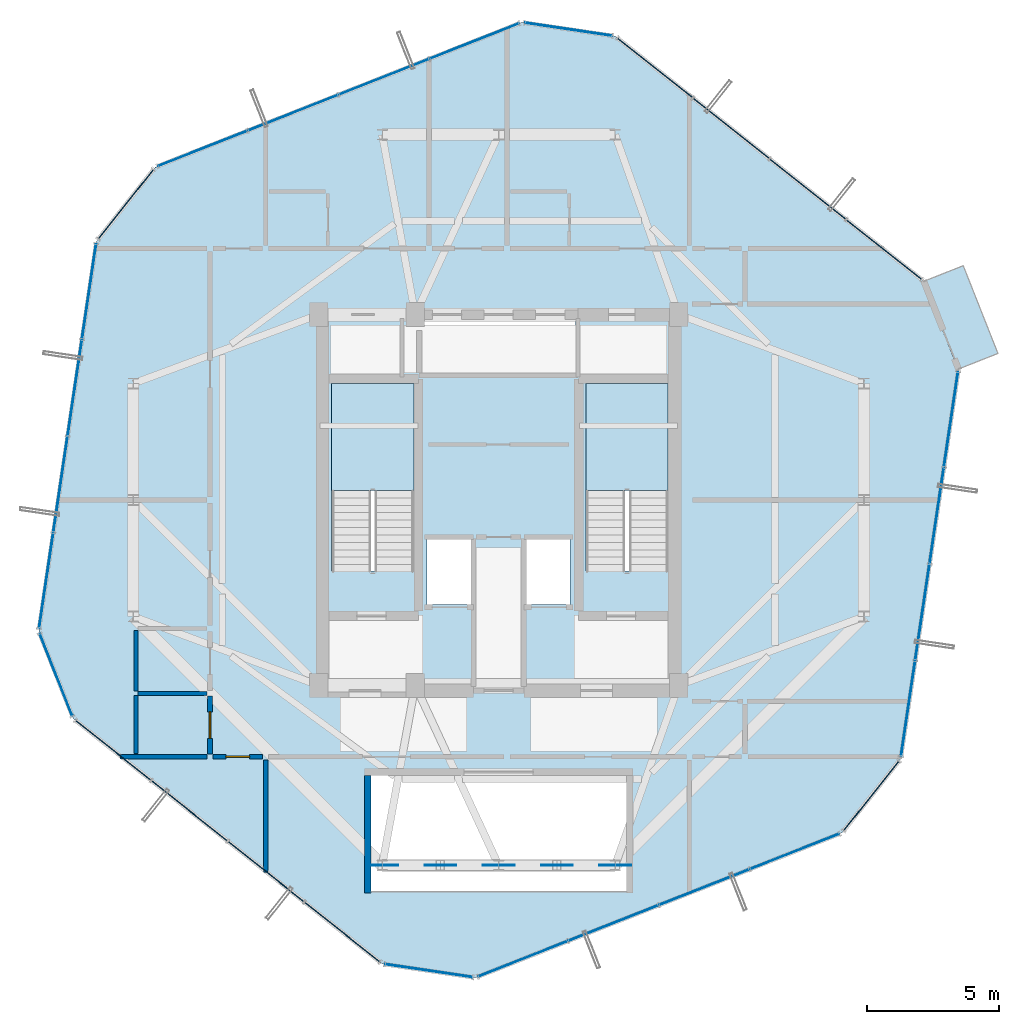
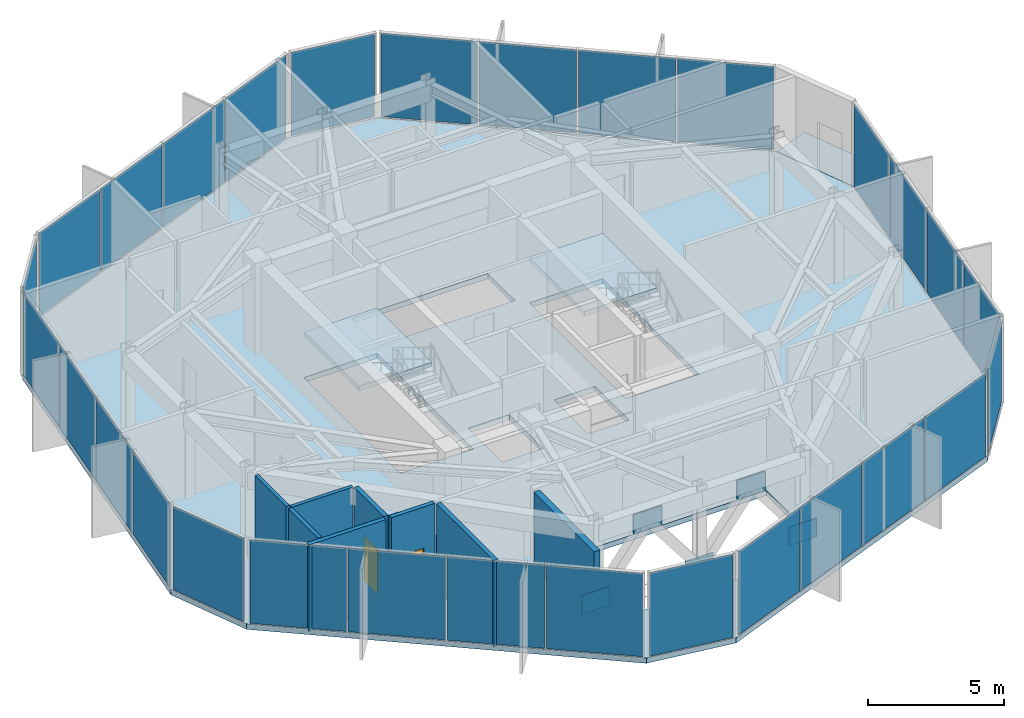
# One storey, part 17 of 22: 34 plates, 8 walls, 4 slabs, 2 doors, 2 openings, 13 elements without a shape of their own.
"""IFC4 building model written with IfcOpenShell, lengths in metres."""

from ifc_helpers import new_model, si_unit, direction, frame, frame_2d, origin, origin_2d, place, context, subcontext, project, spatial, polyline, rectangle, outline, extrude, source, transform, mapped, material, layer, layer_set, type_object, element, fill, aggregate, save


model = new_model("IFC4")

# Units and contexts
model_context = context("Model", 3, precision=1e-05, world=origin(), true_north=direction((0.0, 1.0)))
body_context = subcontext(model_context, "Body", "Model", "MODEL_VIEW")
ifc_project = project(units=[si_unit("LENGTHUNIT", "METRE"), si_unit("AREAUNIT", "SQUARE_METRE"), si_unit("VOLUMEUNIT", "CUBIC_METRE"), si_unit("PLANEANGLEUNIT", "RADIAN"), si_unit("MASSUNIT", "GRAM", prefix="KILO")], contexts=[model_context])

# Site, building, storey
site_placement = place(None, origin())
site = spatial("IfcSite", under=ifc_project, at=site_placement, CompositionType="ELEMENT")
building_placement = place(site_placement, origin())
building = spatial("IfcBuilding", under=site, at=building_placement, Name="Veraguas Prism Commons", CompositionType="ELEMENT")
storey_placement = place(building_placement, frame((0.0, 0.0, 236.550048828125)))
storey = spatial("IfcBuildingStorey", under=building, at=storey_placement, Name="L67", CompositionType="ELEMENT", Elevation=236.550048828125)

# Stair, slab
ifc_material_1 = material(Name="Precast concrete C45/55", Category="concrete")
stair_type = type_object("IfcStairType", Name="Dogleg Core Stair 1480W 24R 08", PredefinedType="HALF_TURN_STAIR", material=ifc_material_1)
stair_1_placement = place(storey_placement, origin())
stair_1 = element("IfcStair", 1, at=stair_1_placement, inside=storey, type_object=stair_type, Name="Protected Exit Stair ST-01 L67", PredefinedType="HALF_TURN_STAIR")
ifc_layer_1 = layer(ifc_material_1, 0.199951171875, Name="Precast Stair and Ramp Landing Slab 200", Category="concrete")
ifc_layer_set_1 = layer_set([ifc_layer_1], Name="Precast concrete C45/55")
slab_type_1 = type_object("IfcSlabType", Name="Precast Stair and Ramp Landing Slab 200", PredefinedType="LANDING", material=ifc_layer_set_1)
slab_1_placement = place(storey_placement, frame((0.0, 0.0, 1.849853515625)))
slab_1 = element("IfcSlab", 2, at=slab_1_placement, type_object=slab_type_1, Name="ST-08 Landing 1", PredefinedType="LANDING", context=body_context, shape_type="SweptSolid", body=[
    extrude(outline(polyline([(20.800048828125, 24.360107421875), (20.800048828125, 28.39990234375), (17.68994140625, 28.39990234375), (17.68994140625, 24.360107421875), (20.800048828125, 24.360107421875)])), origin(), (0.0, 0.0, 1.0), 0.2001953125),
])
aggregate(stair_1, [slab_1])

stair_2_placement = place(storey_placement, origin())
stair_2 = element("IfcStair", 3, at=stair_2_placement, inside=storey, type_object=stair_type, Name="Protected Exit Stair ST-02 L67", PredefinedType="HALF_TURN_STAIR")
slab_2_placement = place(storey_placement, frame((0.0, 0.0, 1.849853515625)))
slab_2 = element("IfcSlab", 4, at=slab_2_placement, type_object=slab_type_1, Name="ST-08 Landing 1", PredefinedType="LANDING", context=body_context, shape_type="SweptSolid", body=[
    extrude(outline(polyline([(30.39990234375, 24.360107421875), (30.39990234375, 28.39990234375), (27.2900390625, 28.39990234375), (27.2900390625, 24.360107421875), (30.39990234375, 24.360107421875)])), origin(), (0.0, 0.0, 1.0), 0.2001953125),
])
aggregate(stair_2, [slab_2])

# Slabs
ifc_material_2 = material(Name="Concrete C45/55", Category="concrete")
ifc_layer_2 = layer(ifc_material_2, 0.219970703125, Name="Recessed Loggia and Terrace Slab RC 220", Category="concrete")
ifc_layer_set_2 = layer_set([ifc_layer_2], Name="Concrete C45/55")
slab_type_2 = type_object("IfcSlabType", Name="Recessed Loggia and Terrace Slab RC 220", PredefinedType="FLOOR", material=ifc_layer_set_2)
slab_3_placement = place(storey_placement, frame((0.0, 0.0, -0.219970703125)))
element("IfcSlab", 5, at=slab_3_placement, inside=storey, type_object=slab_type_2, Name="Recessed Corner Loggia L67-C1", PredefinedType="FLOOR", context=body_context, shape_type="SweptSolid", body=[
    extrude(outline(polyline([(41.35009765625, 28.940185546875), (42.856689453125, 29.535400390625), (41.547607421875, 32.8486328125), (40.041015625, 32.25341796875), (41.35009765625, 28.940185546875)])), origin(), (0.0, 0.0, 1.0), 0.219970703125),
])
ifc_layer_3 = layer(ifc_material_2, 0.235107421875, Name="Tower Upper Residential Floor Slab RC 235", Category="concrete")
ifc_layer_set_3 = layer_set([ifc_layer_3], Name="Concrete C45/55")
slab_type_3 = type_object("IfcSlabType", Name="Tower Upper Residential Floor Slab RC 235", PredefinedType="FLOOR", material=ifc_layer_set_3)
slab_4_placement = place(storey_placement, frame((0.0, 0.0, -0.235107421875)))
element("IfcSlab", 6, at=slab_4_placement, inside=storey, type_object=slab_type_3, Name="Tower Floor Slab L67", PredefinedType="FLOOR", context=body_context, shape_type="SweptSolid", body=[
    extrude(outline(polyline([(41.36865234375, 28.947509765625), (40.0595703125, 32.2607421875), (28.399658203125, 41.515380859375), (24.875732421875, 42.038330078125), (11.031005859375, 36.568115234375), (8.816162109375, 33.777587890625), (6.63134765625, 19.052490234375), (7.9404296875, 15.7392578125), (19.600341796875, 6.484619140625), (23.124267578125, 5.961669921875), (36.968994140625, 11.431884765625), (39.183837890625, 14.222412109375), (41.36865234375, 28.947509765625)]), holes=[polyline([(20.800048828125, 21.31005859375), (20.800048828125, 28.39990234375), (17.68994140625, 28.39990234375), (17.68994140625, 21.31005859375), (20.800048828125, 21.31005859375)]), polyline([(30.39990234375, 21.31005859375), (30.39990234375, 28.39990234375), (27.2900390625, 28.39990234375), (27.2900390625, 21.31005859375), (30.39990234375, 21.31005859375)]), polyline([(21.10009765625, 28.800048828125), (26.89990234375, 28.800048828125), (26.89990234375, 30.800048828125), (21.10009765625, 30.800048828125), (21.10009765625, 28.800048828125)]), polyline([(21.300048828125, 20.050048828125), (23.050048828125, 20.050048828125), (23.050048828125, 22.550048828125), (21.300048828125, 22.550048828125), (21.300048828125, 20.050048828125)]), polyline([(24.949951171875, 20.050048828125), (26.699951171875, 20.050048828125), (26.699951171875, 22.550048828125), (24.949951171875, 22.550048828125), (24.949951171875, 20.050048828125)]), polyline([(19.179931640625, 9.199951171875), (28.820068359375, 9.199951171875), (28.820068359375, 13.60009765625), (19.179931640625, 13.60009765625), (19.179931640625, 9.199951171875)])]), origin(), (0.0, 0.0, 1.0), 0.235107421875),
])

# Plates
ifc_material_3 = material(Name="Steel ASTM A572 Grade 50", Category="steel")
ifc_layer_4 = layer(ifc_material_3, 0.034912109375, Name="Crown and Portal Stiffener Plate 1200x850x35", Category="steel")
ifc_layer_set_4 = layer_set([ifc_layer_4], Name="Steel ASTM A572 Grade 50")
plate_type_1 = type_object("IfcPlateType", Name="Crown and Portal Stiffener Plate 1200x850x35", PredefinedType="USERDEFINED", material=ifc_layer_set_4)
shared_shape_1 = source(origin(), body_context, "Body", "SweptSolid", [
    extrude(rectangle(XDim=1.199951171875, YDim=0.034912109375, at=origin_2d()), origin(), (0.0, 0.0, 1.0), 0.85009765625),
])
for number, where, z_axis, x_axis, name in (
    (7, (21.800048828125, 10.199951171875, 2.789794921875), (0.0, 0.0, 1.0), (1.0, 0.0, 0.0), "Wind Portal Node Stiffener KN4-L67-01"),
    (8, (26.199951171875, 10.199951171875, 2.789794921875), (0.0, 0.0, 1.0), (1.0, 0.0, 0.0), "Wind Portal Node Stiffener KN4-L67-02"),
    (9, (19.60009765625, 10.199951171875, -0.0751953125), (0.0, 0.0, 1.0), (1.0, 0.0, 0.0), "Wind Portal Column Foot Stiffener L67-01"),
    (10, (24.0, 10.199951171875, -0.0751953125), (0.0, 0.0, 1.0), (1.0, 0.0, 0.0), "Wind Portal Column Foot Stiffener L67-02"),
    (11, (28.39990234375, 10.199951171875, -0.0751953125), (0.0, 0.0, 1.0), (1.0, 0.0, 0.0), "Wind Portal Column Foot Stiffener L67-03"),
):
    element("IfcPlate", number, at=place(storey_placement, frame(where, z_axis=z_axis, x_axis=x_axis)), inside=storey, type_object=plate_type_1, Name=name, ObjectType="STIFFENER PLATE", PredefinedType="USERDEFINED", context=body_context, shape_type="MappedRepresentation", body=[
        mapped(shared_shape_1, transform((0.0, 0.0, 0.0), scale=1.0)),
    ])

# Curtain wall, plates
ifc_material_4 = material(Name="Anodised aluminium EN AW-6063 T6", Category="aluminium")
ifc_layer_5 = layer(ifc_material_4, 0.199951171875, Name="Sky Lobby and Pool Acoustic Curtain Wall", Category="aluminium")
ifc_layer_set_5 = layer_set([ifc_layer_5], Name="Anodised aluminium EN AW-6063 T6")
curtain_wall_type = type_object("IfcCurtainWallType", Name="Sky Lobby and Pool Acoustic Curtain Wall", PredefinedType="NOTDEFINED", material=ifc_layer_set_5)
curtain_wall_1_placement = place(storey_placement, origin())
curtain_wall_1 = element("IfcCurtainWall", 12, at=curtain_wall_1_placement, inside=storey, type_object=curtain_wall_type, Name="Tower Facade Curtain Wall L67-F1", PredefinedType="NOTDEFINED")
ifc_material_5 = material(Name="Laminated low-e glass", Category="glass")
ifc_layer_6 = layer(ifc_material_5, 0.031982421875, Name="Concourse Acoustic Triple Glazed Panel 32", Category="glass")
ifc_layer_set_6 = layer_set([ifc_layer_6], Name="Laminated low-e glass")
plate_type_2 = type_object("IfcPlateType", Name="Concourse Acoustic Triple Glazed Panel 32", PredefinedType="CURTAIN_PANEL", material=ifc_layer_set_6)
shared_shape_2 = source(origin(), body_context, "Body", "SweptSolid", [
    extrude(rectangle(XDim=3.593994140625, YDim=0.031982421875, at=origin_2d()), origin(), (0.0, 0.0, 1.0), 3.7451171875),
])
plate_1_placement = place(storey_placement, frame((38.55419921875, 33.45556640625, 0.059814453125), z_axis=(0.0, 0.0, 1.0), x_axis=(-0.78325853836, 0.621696117155, 0.0)))
plate_1 = element("IfcPlate", 13, at=plate_1_placement, type_object=plate_type_2, Name="CW-SKY Panel 1.1", PredefinedType="CURTAIN_PANEL", context=body_context, shape_type="MappedRepresentation", body=[
    mapped(shared_shape_2, transform((0.0, 0.0, 0.0), scale=1.0)),
])
plate_2_placement = place(storey_placement, frame((29.9052734375, 40.320556640625, 0.059814453125), z_axis=(0.0, 0.0, 1.0), x_axis=(-0.78325853836, 0.621696117155, 0.0)))
plate_2 = element("IfcPlate", 14, at=plate_2_placement, type_object=plate_type_2, Name="CW-SKY Panel 4.1", PredefinedType="CURTAIN_PANEL", context=body_context, shape_type="MappedRepresentation", body=[
    mapped(shared_shape_2, transform((0.0, 0.0, 0.0), scale=1.0)),
])

curtain_wall_2_placement = place(storey_placement, origin())
curtain_wall_2 = element("IfcCurtainWall", 15, at=curtain_wall_2_placement, inside=storey, type_object=curtain_wall_type, Name="Tower Facade Curtain Wall L67-F2", PredefinedType="NOTDEFINED")
plate_3_placement = place(storey_placement, frame((23.088134765625, 41.33203125, 0.059814453125), z_axis=(0.0, 0.0, 1.0), x_axis=(-0.930030051844, -0.367483472645, 0.0)))
plate_3 = element("IfcPlate", 16, at=plate_3_placement, type_object=plate_type_2, Name="CW-SKY Panel 1.1", PredefinedType="CURTAIN_PANEL", context=body_context, shape_type="MappedRepresentation", body=[
    mapped(shared_shape_2, transform((0.0, 0.0, 0.0), scale=1.0)),
])
plate_4_placement = place(storey_placement, frame((12.818603515625, 37.274169921875, 0.059814453125), z_axis=(0.0, 0.0, 1.0), x_axis=(-0.930030051844, -0.367483472645, 0.0)))
plate_4 = element("IfcPlate", 17, at=plate_4_placement, type_object=plate_type_2, Name="CW-SKY Panel 4.1", PredefinedType="CURTAIN_PANEL", context=body_context, shape_type="MappedRepresentation", body=[
    mapped(shared_shape_2, transform((0.0, 0.0, 0.0), scale=1.0)),
])

curtain_wall_3_placement = place(storey_placement, origin())
curtain_wall_3 = element("IfcCurtainWall", 18, at=curtain_wall_3_placement, inside=storey, type_object=curtain_wall_type, Name="Tower Facade Curtain Wall L67-F3", PredefinedType="NOTDEFINED")
plate_5_placement = place(storey_placement, frame((8.5341796875, 31.87646484375, 0.059814453125), z_axis=(0.0, 0.0, 1.0), x_axis=(-0.146773635283, -0.989170106698, 0.0)))
plate_5 = element("IfcPlate", 19, at=plate_5_placement, type_object=plate_type_2, Name="CW-SKY Panel 1.1", PredefinedType="CURTAIN_PANEL", context=body_context, shape_type="MappedRepresentation", body=[
    mapped(shared_shape_2, transform((0.0, 0.0, 0.0), scale=1.0)),
])
plate_6_placement = place(storey_placement, frame((6.913330078125, 20.953857421875, 0.059814453125), z_axis=(0.0, 0.0, 1.0), x_axis=(-0.146773635283, -0.989170106698, 0.0)))
plate_6 = element("IfcPlate", 20, at=plate_6_placement, type_object=plate_type_2, Name="CW-SKY Panel 4.1", PredefinedType="CURTAIN_PANEL", context=body_context, shape_type="MappedRepresentation", body=[
    mapped(shared_shape_2, transform((0.0, 0.0, 0.0), scale=1.0)),
])

curtain_wall_4_placement = place(storey_placement, origin())
curtain_wall_4 = element("IfcCurtainWall", 21, at=curtain_wall_4_placement, inside=storey, type_object=curtain_wall_type, Name="Tower Facade Curtain Wall L67-F4", PredefinedType="NOTDEFINED")
plate_7_placement = place(storey_placement, frame((9.44580078125, 14.54443359375, 0.059814453125), z_axis=(0.0, 0.0, 1.0), x_axis=(0.78325853836, -0.621696117155, 0.0)))
plate_7 = element("IfcPlate", 22, at=plate_7_placement, type_object=plate_type_2, Name="CW-SKY Panel 1.1", PredefinedType="CURTAIN_PANEL", context=body_context, shape_type="MappedRepresentation", body=[
    mapped(shared_shape_2, transform((0.0, 0.0, 0.0), scale=1.0)),
])
plate_8_placement = place(storey_placement, frame((18.0947265625, 7.679443359375, 0.059814453125), z_axis=(0.0, 0.0, 1.0), x_axis=(0.78325853836, -0.621696117155, 0.0)))
plate_8 = element("IfcPlate", 23, at=plate_8_placement, type_object=plate_type_2, Name="CW-SKY Panel 4.1", PredefinedType="CURTAIN_PANEL", context=body_context, shape_type="MappedRepresentation", body=[
    mapped(shared_shape_2, transform((0.0, 0.0, 0.0), scale=1.0)),
])

curtain_wall_5_placement = place(storey_placement, origin())
curtain_wall_5 = element("IfcCurtainWall", 24, at=curtain_wall_5_placement, inside=storey, type_object=curtain_wall_type, Name="Tower Facade Curtain Wall L67-F5", PredefinedType="NOTDEFINED")
plate_9_placement = place(storey_placement, frame((24.911865234375, 6.66796875, 0.059814453125), z_axis=(0.0, 0.0, 1.0), x_axis=(0.930030051844, 0.367483472645, 0.0)))
plate_9 = element("IfcPlate", 25, at=plate_9_placement, type_object=plate_type_2, Name="CW-SKY Panel 1.1", PredefinedType="CURTAIN_PANEL", context=body_context, shape_type="MappedRepresentation", body=[
    mapped(shared_shape_2, transform((0.0, 0.0, 0.0), scale=1.0)),
])
plate_10_placement = place(storey_placement, frame((35.181396484375, 10.725830078125, 0.059814453125), z_axis=(0.0, 0.0, 1.0), x_axis=(0.930030051844, 0.367483472645, 0.0)))
plate_10 = element("IfcPlate", 26, at=plate_10_placement, type_object=plate_type_2, Name="CW-SKY Panel 4.1", PredefinedType="CURTAIN_PANEL", context=body_context, shape_type="MappedRepresentation", body=[
    mapped(shared_shape_2, transform((0.0, 0.0, 0.0), scale=1.0)),
])

curtain_wall_6_placement = place(storey_placement, origin())
curtain_wall_6 = element("IfcCurtainWall", 27, at=curtain_wall_6_placement, inside=storey, type_object=curtain_wall_type, Name="Tower Facade Curtain Wall L67-F6", PredefinedType="NOTDEFINED")
plate_11_placement = place(storey_placement, frame((39.4658203125, 16.12353515625, 0.059814453125), z_axis=(0.0, 0.0, 1.0), x_axis=(0.146773635283, 0.989170106698, 0.0)))
plate_11 = element("IfcPlate", 28, at=plate_11_placement, type_object=plate_type_2, Name="CW-SKY Panel 1.1", PredefinedType="CURTAIN_PANEL", context=body_context, shape_type="MappedRepresentation", body=[
    mapped(shared_shape_2, transform((0.0, 0.0, 0.0), scale=1.0)),
])
plate_12_placement = place(storey_placement, frame((41.086669921875, 27.046142578125, 0.059814453125), z_axis=(0.0, 0.0, 1.0), x_axis=(0.146773635283, 0.989170106698, 0.0)))
plate_12 = element("IfcPlate", 29, at=plate_12_placement, type_object=plate_type_2, Name="CW-SKY Panel 4.1", PredefinedType="CURTAIN_PANEL", context=body_context, shape_type="MappedRepresentation", body=[
    mapped(shared_shape_2, transform((0.0, 0.0, 0.0), scale=1.0)),
])

# Plate
shared_shape_3 = source(origin(), body_context, "Body", "SweptSolid", [
    extrude(rectangle(XDim=3.626708984375, YDim=0.031982421875, at=origin_2d()), origin(), (0.0, 0.0, 1.0), 3.7451171875),
])
plate_13_placement = place(storey_placement, frame((35.67529296875, 35.740478515625, 0.059814453125), z_axis=(0.0, 0.0, 1.0), x_axis=(-0.78325853836, 0.621696117155, 0.0)))
plate_13 = element("IfcPlate", 30, at=plate_13_placement, type_object=plate_type_2, Name="CW-SKY Panel 2.1", PredefinedType="CURTAIN_PANEL", context=body_context, shape_type="MappedRepresentation", body=[
    mapped(shared_shape_3, transform((0.0, 0.0, 0.0), scale=1.0)),
])

plate_14_placement = place(storey_placement, frame((32.783935546875, 38.03564453125, 0.059814453125), z_axis=(0.0, 0.0, 1.0), x_axis=(-0.78325853836, 0.621696117155, 0.0)))
plate_14 = element("IfcPlate", 31, at=plate_14_placement, type_object=plate_type_2, Name="CW-SKY Panel 3.1", PredefinedType="CURTAIN_PANEL", context=body_context, shape_type="MappedRepresentation", body=[
    mapped(shared_shape_3, transform((0.0, 0.0, 0.0), scale=1.0)),
])

aggregate(curtain_wall_1, [plate_1, plate_13, plate_14, plate_2])

plate_15_placement = place(storey_placement, frame((19.670166015625, 39.9814453125, 0.059814453125), z_axis=(0.0, 0.0, 1.0), x_axis=(-0.930030051844, -0.367483472645, 0.0)))
plate_15 = element("IfcPlate", 32, at=plate_15_placement, type_object=plate_type_2, Name="CW-SKY Panel 2.1", PredefinedType="CURTAIN_PANEL", context=body_context, shape_type="MappedRepresentation", body=[
    mapped(shared_shape_3, transform((0.0, 0.0, 0.0), scale=1.0)),
])

plate_16_placement = place(storey_placement, frame((16.23681640625, 38.625, 0.059814453125), z_axis=(0.0, 0.0, 1.0), x_axis=(-0.930030051844, -0.367483472645, 0.0)))
plate_16 = element("IfcPlate", 33, at=plate_16_placement, type_object=plate_type_2, Name="CW-SKY Panel 3.1", PredefinedType="CURTAIN_PANEL", context=body_context, shape_type="MappedRepresentation", body=[
    mapped(shared_shape_3, transform((0.0, 0.0, 0.0), scale=1.0)),
])

aggregate(curtain_wall_2, [plate_3, plate_15, plate_16, plate_4])

plate_17_placement = place(storey_placement, frame((12.32470703125, 12.259521484375, 0.059814453125), z_axis=(0.0, 0.0, 1.0), x_axis=(0.78325853836, -0.621696117155, 0.0)))
plate_17 = element("IfcPlate", 34, at=plate_17_placement, type_object=plate_type_2, Name="CW-SKY Panel 2.1", PredefinedType="CURTAIN_PANEL", context=body_context, shape_type="MappedRepresentation", body=[
    mapped(shared_shape_3, transform((0.0, 0.0, 0.0), scale=1.0)),
])

plate_18_placement = place(storey_placement, frame((15.216064453125, 9.96435546875, 0.059814453125), z_axis=(0.0, 0.0, 1.0), x_axis=(0.78325853836, -0.621696117155, 0.0)))
plate_18 = element("IfcPlate", 35, at=plate_18_placement, type_object=plate_type_2, Name="CW-SKY Panel 3.1", PredefinedType="CURTAIN_PANEL", context=body_context, shape_type="MappedRepresentation", body=[
    mapped(shared_shape_3, transform((0.0, 0.0, 0.0), scale=1.0)),
])

aggregate(curtain_wall_4, [plate_7, plate_17, plate_18, plate_8])

plate_19_placement = place(storey_placement, frame((28.329833984375, 8.0185546875, 0.059814453125), z_axis=(0.0, 0.0, 1.0), x_axis=(0.930030051844, 0.367483472645, 0.0)))
plate_19 = element("IfcPlate", 36, at=plate_19_placement, type_object=plate_type_2, Name="CW-SKY Panel 2.1", PredefinedType="CURTAIN_PANEL", context=body_context, shape_type="MappedRepresentation", body=[
    mapped(shared_shape_3, transform((0.0, 0.0, 0.0), scale=1.0)),
])

plate_20_placement = place(storey_placement, frame((31.76318359375, 9.375, 0.059814453125), z_axis=(0.0, 0.0, 1.0), x_axis=(0.930030051844, 0.367483472645, 0.0)))
plate_20 = element("IfcPlate", 37, at=plate_20_placement, type_object=plate_type_2, Name="CW-SKY Panel 3.1", PredefinedType="CURTAIN_PANEL", context=body_context, shape_type="MappedRepresentation", body=[
    mapped(shared_shape_3, transform((0.0, 0.0, 0.0), scale=1.0)),
])

aggregate(curtain_wall_5, [plate_9, plate_19, plate_20, plate_10])

shared_shape_4 = source(origin(), body_context, "Body", "SweptSolid", [
    extrude(rectangle(XDim=3.62646484375, YDim=0.031982421875, at=origin_2d()), origin(), (0.0, 0.0, 1.0), 3.7451171875),
])
plate_21_placement = place(storey_placement, frame((7.99462890625, 28.240966796875, 0.059814453125), z_axis=(0.0, 0.0, 1.0), x_axis=(-0.146773635283, -0.989170106698, 0.0)))
plate_21 = element("IfcPlate", 38, at=plate_21_placement, type_object=plate_type_2, Name="CW-SKY Panel 2.1", PredefinedType="CURTAIN_PANEL", context=body_context, shape_type="MappedRepresentation", body=[
    mapped(shared_shape_4, transform((0.0, 0.0, 0.0), scale=1.0)),
])

plate_22_placement = place(storey_placement, frame((7.452880859375, 24.58935546875, 0.059814453125), z_axis=(0.0, 0.0, 1.0), x_axis=(-0.146773635283, -0.989170106698, 0.0)))
plate_22 = element("IfcPlate", 39, at=plate_22_placement, type_object=plate_type_2, Name="CW-SKY Panel 3.1", PredefinedType="CURTAIN_PANEL", context=body_context, shape_type="MappedRepresentation", body=[
    mapped(shared_shape_4, transform((0.0, 0.0, 0.0), scale=1.0)),
])

aggregate(curtain_wall_3, [plate_5, plate_21, plate_22, plate_6])

plate_23_placement = place(storey_placement, frame((40.00537109375, 19.759033203125, 0.059814453125), z_axis=(0.0, 0.0, 1.0), x_axis=(0.146773635283, 0.989170106698, 0.0)))
plate_23 = element("IfcPlate", 40, at=plate_23_placement, type_object=plate_type_2, Name="CW-SKY Panel 2.1", PredefinedType="CURTAIN_PANEL", context=body_context, shape_type="MappedRepresentation", body=[
    mapped(shared_shape_4, transform((0.0, 0.0, 0.0), scale=1.0)),
])

plate_24_placement = place(storey_placement, frame((40.547119140625, 23.41064453125, 0.059814453125), z_axis=(0.0, 0.0, 1.0), x_axis=(0.146773635283, 0.989170106698, 0.0)))
plate_24 = element("IfcPlate", 41, at=plate_24_placement, type_object=plate_type_2, Name="CW-SKY Panel 3.1", PredefinedType="CURTAIN_PANEL", context=body_context, shape_type="MappedRepresentation", body=[
    mapped(shared_shape_4, transform((0.0, 0.0, 0.0), scale=1.0)),
])

aggregate(curtain_wall_6, [plate_11, plate_23, plate_24, plate_12])

# Curtain wall, plate
curtain_wall_7_placement = place(storey_placement, origin())
curtain_wall_7 = element("IfcCurtainWall", 42, at=curtain_wall_7_placement, inside=storey, type_object=curtain_wall_type, Name="Chamfer Curtain Wall L67-C2", PredefinedType="NOTDEFINED")
shared_shape_5 = source(origin(), body_context, "Body", "SweptSolid", [
    extrude(rectangle(XDim=3.3125, YDim=0.031982421875, at=origin_2d()), origin(), (0.0, 0.0, 1.0), 3.7451171875),
])
plate_25_placement = place(storey_placement, frame((26.6376953125, 41.77685546875, 0.059814453125), z_axis=(0.0, 0.0, 1.0), x_axis=(-0.989168057255, 0.146787446689, 0.0)))
plate_25 = element("IfcPlate", 43, at=plate_25_placement, type_object=plate_type_2, Name="CW-SKY Panel 1.1", PredefinedType="CURTAIN_PANEL", context=body_context, shape_type="MappedRepresentation", body=[
    mapped(shared_shape_5, transform((0.0, 0.0, 0.0), scale=1.0)),
])
aggregate(curtain_wall_7, [plate_25])

curtain_wall_8_placement = place(storey_placement, origin())
curtain_wall_8 = element("IfcCurtainWall", 44, at=curtain_wall_8_placement, inside=storey, type_object=curtain_wall_type, Name="Chamfer Curtain Wall L67-C3", PredefinedType="NOTDEFINED")
plate_26_placement = place(storey_placement, frame((9.923583984375, 35.1728515625, 0.059814453125), z_axis=(0.0, 0.0, 1.0), x_axis=(-0.621707053447, -0.783249857769, 0.0)))
plate_26 = element("IfcPlate", 45, at=plate_26_placement, type_object=plate_type_2, Name="CW-SKY Panel 1.1", PredefinedType="CURTAIN_PANEL", context=body_context, shape_type="MappedRepresentation", body=[
    mapped(shared_shape_5, transform((0.0, 0.0, 0.0), scale=1.0)),
])
aggregate(curtain_wall_8, [plate_26])

curtain_wall_9_placement = place(storey_placement, origin())
curtain_wall_9 = element("IfcCurtainWall", 46, at=curtain_wall_9_placement, inside=storey, type_object=curtain_wall_type, Name="Chamfer Curtain Wall L67-C4", PredefinedType="NOTDEFINED")
plate_27_placement = place(storey_placement, frame((7.285888671875, 17.39599609375, 0.059814453125), z_axis=(0.0, 0.0, 1.0), x_axis=(0.367496458279, -0.930024920716, 0.0)))
plate_27 = element("IfcPlate", 47, at=plate_27_placement, type_object=plate_type_2, Name="CW-SKY Panel 1.1", PredefinedType="CURTAIN_PANEL", context=body_context, shape_type="MappedRepresentation", body=[
    mapped(shared_shape_5, transform((0.0, 0.0, 0.0), scale=1.0)),
])
aggregate(curtain_wall_9, [plate_27])

curtain_wall_10_placement = place(storey_placement, origin())
curtain_wall_10 = element("IfcCurtainWall", 48, at=curtain_wall_10_placement, inside=storey, type_object=curtain_wall_type, Name="Chamfer Curtain Wall L67-C5", PredefinedType="NOTDEFINED")
plate_28_placement = place(storey_placement, frame((21.3623046875, 6.22314453125, 0.059814453125), z_axis=(0.0, 0.0, 1.0), x_axis=(0.989168057255, -0.146787446689, 0.0)))
plate_28 = element("IfcPlate", 49, at=plate_28_placement, type_object=plate_type_2, Name="CW-SKY Panel 1.1", PredefinedType="CURTAIN_PANEL", context=body_context, shape_type="MappedRepresentation", body=[
    mapped(shared_shape_5, transform((0.0, 0.0, 0.0), scale=1.0)),
])
aggregate(curtain_wall_10, [plate_28])

curtain_wall_11_placement = place(storey_placement, origin())
curtain_wall_11 = element("IfcCurtainWall", 50, at=curtain_wall_11_placement, inside=storey, type_object=curtain_wall_type, Name="Chamfer Curtain Wall L67-C6", PredefinedType="NOTDEFINED")
plate_29_placement = place(storey_placement, frame((38.076416015625, 12.8271484375, 0.059814453125), z_axis=(0.0, 0.0, 1.0), x_axis=(0.621707053447, 0.783249857769, 0.0)))
plate_29 = element("IfcPlate", 51, at=plate_29_placement, type_object=plate_type_2, Name="CW-SKY Panel 1.1", PredefinedType="CURTAIN_PANEL", context=body_context, shape_type="MappedRepresentation", body=[
    mapped(shared_shape_5, transform((0.0, 0.0, 0.0), scale=1.0)),
])
aggregate(curtain_wall_11, [plate_29])

# Walls
ifc_material_6 = material(Name="Autoclaved aerated masonry block 10 MPa", Category="masonry")
ifc_layer_7 = layer(ifc_material_6, 0.179931640625, Name="Corridor and Inter-Tenancy Partition 180", Category="masonry")
ifc_layer_set_7 = layer_set([ifc_layer_7], Name="Autoclaved aerated masonry block 10 MPa")
wall_type_1 = type_object("IfcWallType", Name="Corridor and Inter-Tenancy Partition 180", PredefinedType="PARTITIONING", material=ifc_layer_set_7)
wall_1_placement = place(storey_placement, frame((15.199951171875, 14.179931640625, 0.0), z_axis=(0.0, 0.0, 1.0), x_axis=(0.0, -1.0, 0.0)))
element("IfcWall", 52, at=wall_1_placement, inside=storey, type_object=wall_type_1, Name="WL-L67-PT001", PredefinedType="PARTITIONING", context=body_context, shape_type="SweptSolid", body=[
    extrude(rectangle(XDim=4.2412109375, YDim=0.179931640625, at=frame_2d((2.12060546875, 0.0))), origin(), (0.0, 0.0, 1.0), 3.864990234375),
])
wall_2_placement = place(storey_placement, frame((12.97998046875, 14.300048828125, 0.0), z_axis=(0.0, 0.0, 1.0), x_axis=(-1.0, 0.0, 0.0)))
element("IfcWall", 53, at=wall_2_placement, inside=storey, type_object=wall_type_1, Name="WL-L67-PT016", PredefinedType="PARTITIONING", context=body_context, shape_type="SweptSolid", body=[
    extrude(rectangle(XDim=3.2744140625, YDim=0.179931640625, at=frame_2d((1.63720703125, 0.0))), origin(), (0.0, 0.0, 1.0), 3.864990234375),
])

# Wall, opening, door
wall_3_placement = place(storey_placement, frame((13.10009765625, 14.409912109375, 0.0), z_axis=(0.0, 0.0, 1.0), x_axis=(0.0, 1.0, 0.0)))
wall_3 = element("IfcWall", 54, at=wall_3_placement, inside=storey, type_object=wall_type_1, Name="WL-L67-PT018", PredefinedType="PARTITIONING", context=body_context, shape_type="SweptSolid", body=[
    extrude(rectangle(XDim=2.18017578125, YDim=0.179931640625, at=frame_2d((1.090087890625, 0.0))), origin(), (0.0, 0.0, 1.0), 3.864990234375),
])
opening_1_placement = place(wall_3_placement, frame((0.590087890625, 0.0, 0.0)))
opening_1 = element("IfcOpeningElement", 55, at=opening_1_placement, cuts=wall_3, Name="Opening DR-13", PredefinedType="OPENING", context=body_context, shape_type="SweptSolid", body=[
    extrude(rectangle(XDim=1.0, YDim=2.010009765625, at=frame_2d((0.5, 1.0048828125))), frame((0.0, 0.099853515625, 0.0), z_axis=(0.0, -1.0, 0.0), x_axis=(1.0, 0.0, 0.0)), (0.0, 0.0, 1.0), 0.199951171875),
])
ifc_material_7 = material(Name="Steel fire-rated door assembly", Category="steel")
door_type_1 = type_object("IfcDoorType", Name="Core Accessible WC and Clinic Fire Door 1000x2010", OperationType="NOTDEFINED", PredefinedType="DOOR", material=ifc_material_7)
shared_shape_6 = source(origin(), body_context, "Body", "SweptSolid", [
    extrude(rectangle(XDim=1.0, YDim=2.010009765625, at=frame_2d((0.5, 1.0048828125))), frame((0.0, 0.02490234375, 0.0), z_axis=(0.0, -1.0, 0.0), x_axis=(1.0, 0.0, 0.0)), (0.0, 0.0, 1.0), 0.050048828125),
])
door_1_placement = place(opening_1_placement, origin())
door_1 = element("IfcDoor", 56, at=door_1_placement, inside=storey, type_object=door_type_1, Name="Public WC L67 Door", OperationType="SINGLE_SWING_RIGHT", OverallHeight=2.010009765625, OverallWidth=1.0, PredefinedType="DOOR", context=body_context, shape_type="MappedRepresentation", body=[
    mapped(shared_shape_6, transform((0.0, 0.0, 0.0), scale=1.0)),
])
fill(opening_1, door_1)

wall_4_placement = place(storey_placement, frame((13.219970703125, 14.300048828125, 0.0), z_axis=(0.0, 0.0, 1.0), x_axis=(1.0, 0.0, 0.0)))
wall_4 = element("IfcWall", 57, at=wall_4_placement, inside=storey, type_object=wall_type_1, Name="WL-L67-PT034", PredefinedType="PARTITIONING", context=body_context, shape_type="SweptSolid", body=[
    extrude(rectangle(XDim=1.860107421875, YDim=0.179931640625, at=frame_2d((0.93017578125, 0.0))), origin(), (0.0, 0.0, 1.0), 3.864990234375),
])
opening_2_placement = place(wall_4_placement, frame((0.47998046875, 0.0, 0.0)))
opening_2 = element("IfcOpeningElement", 58, at=opening_2_placement, cuts=wall_4, Name="Opening DR-14", PredefinedType="OPENING", context=body_context, shape_type="SweptSolid", body=[
    extrude(rectangle(XDim=0.89990234375, YDim=2.010009765625, at=frame_2d((0.449951171875, 1.0048828125))), frame((0.0, 0.099853515625, 0.0), z_axis=(0.0, -1.0, 0.0), x_axis=(1.0, 0.0, 0.0)), (0.0, 0.0, 1.0), 0.199951171875),
])
door_type_2 = type_object("IfcDoorType", Name="Core Service Room Fire Door 900x2010", OperationType="NOTDEFINED", PredefinedType="DOOR", material=ifc_material_7)
shared_shape_7 = source(origin(), body_context, "Body", "SweptSolid", [
    extrude(rectangle(XDim=0.89990234375, YDim=2.010009765625, at=frame_2d((0.449951171875, 1.0048828125))), frame((0.0, 0.02490234375, 0.0), z_axis=(0.0, -1.0, 0.0), x_axis=(1.0, 0.0, 0.0)), (0.0, 0.0, 1.0), 0.050048828125),
])
door_2_placement = place(opening_2_placement, origin())
door_2 = element("IfcDoor", 59, at=door_2_placement, inside=storey, type_object=door_type_2, Name="Shared Laundry Room SW Door", OperationType="SINGLE_SWING_RIGHT", OverallHeight=2.010009765625, OverallWidth=0.89990234375, PredefinedType="DOOR", context=body_context, shape_type="MappedRepresentation", body=[
    mapped(shared_shape_7, transform((0.0, 0.0, 0.0), scale=1.0)),
])
fill(opening_2, door_2)

# Walls
ifc_material_8 = material(Name="Precast concrete C40/50", Category="concrete")
ifc_layer_8 = layer(ifc_material_8, 0.25, Name="External Loggia and Portal Wall 250", Category="concrete")
ifc_layer_set_8 = layer_set([ifc_layer_8], Name="Precast concrete C40/50")
wall_type_2 = type_object("IfcWallType", Name="External Loggia and Portal Wall 250", PredefinedType="SOLIDWALL", material=ifc_layer_set_8)
wall_5_placement = place(storey_placement, frame((19.050048828125, 9.14990234375, 0.0), z_axis=(0.0, 0.0, 1.0), x_axis=(0.0, 1.0, 0.0)))
element("IfcWall", 60, at=wall_5_placement, inside=storey, type_object=wall_type_2, Name="Wind Portal Enclosure Wall L67-W", PredefinedType="SOLIDWALL", context=body_context, shape_type="SweptSolid", body=[
    extrude(rectangle(XDim=4.4501953125, YDim=0.25, at=frame_2d((2.22509765625, 0.0))), origin(), (0.0, 0.0, 1.0), 3.39306640625),
])
ifc_material_9 = material(Name="Lightweight acoustic gypsum board")
ifc_layer_9 = layer(ifc_material_9, 0.14990234375, Name="Wet Room and Clinic Acoustic Partition 150")
ifc_layer_set_9 = layer_set([ifc_layer_9], Name="Lightweight acoustic gypsum board")
wall_type_3 = type_object("IfcWallType", Name="Wet Room and Clinic Acoustic Partition 150", PredefinedType="PARTITIONING", material=ifc_layer_set_9)
wall_6_placement = place(storey_placement, frame((12.97998046875, 16.699951171875, 0.0), z_axis=(0.0, 0.0, 1.0), x_axis=(-1.0, 0.0, 0.0)))
element("IfcWall", 61, at=wall_6_placement, inside=storey, type_object=wall_type_3, Name="WL-L67-PT022", PredefinedType="PARTITIONING", context=body_context, shape_type="SweptSolid", body=[
    extrude(rectangle(XDim=2.60009765625, YDim=0.14990234375, at=frame_2d((1.300048828125, 0.0))), origin(), (0.0, 0.0, 1.0), 3.864990234375),
])
wall_7_placement = place(storey_placement, frame((10.300048828125, 14.419921875, 0.0), z_axis=(0.0, 0.0, 1.0), x_axis=(0.0, 1.0, 0.0)))
element("IfcWall", 62, at=wall_7_placement, inside=storey, type_object=wall_type_3, Name="WL-L67-PT024", PredefinedType="PARTITIONING", context=body_context, shape_type="SweptSolid", body=[
    extrude(rectangle(XDim=2.2001953125, YDim=0.14990234375, at=frame_2d((1.10009765625, 0.0))), origin(), (0.0, 0.0, 1.0), 3.864990234375),
])
wall_8_placement = place(storey_placement, frame((10.300048828125, 16.780029296875, 0.0), z_axis=(0.0, 0.0, 1.0), x_axis=(0.0, 1.0, 0.0)))
element("IfcWall", 63, at=wall_8_placement, inside=storey, type_object=wall_type_3, Name="WL-L67-PT025", PredefinedType="PARTITIONING", context=body_context, shape_type="SweptSolid", body=[
    extrude(rectangle(XDim=2.2900390625, YDim=0.14990234375, at=frame_2d((1.14501953125, 0.0))), origin(), (0.0, 0.0, 1.0), 3.864990234375),
])

save(model, "model.ifc")
